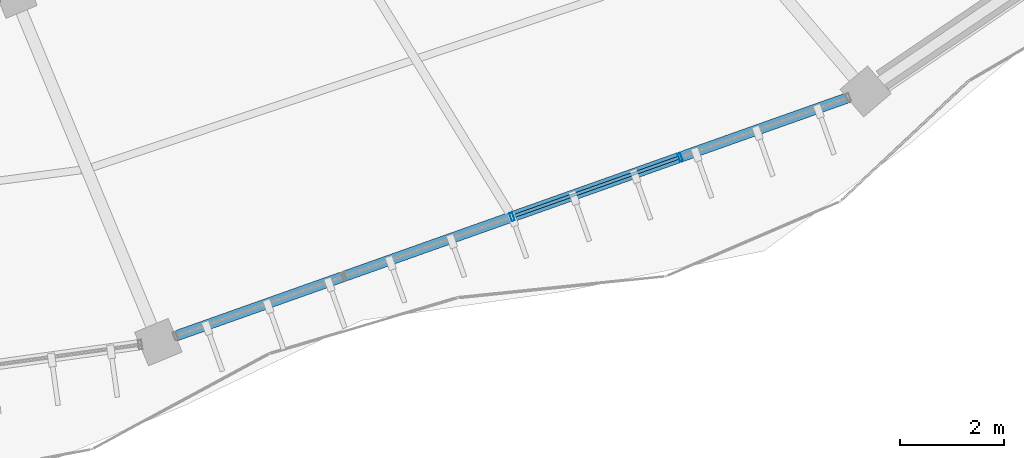
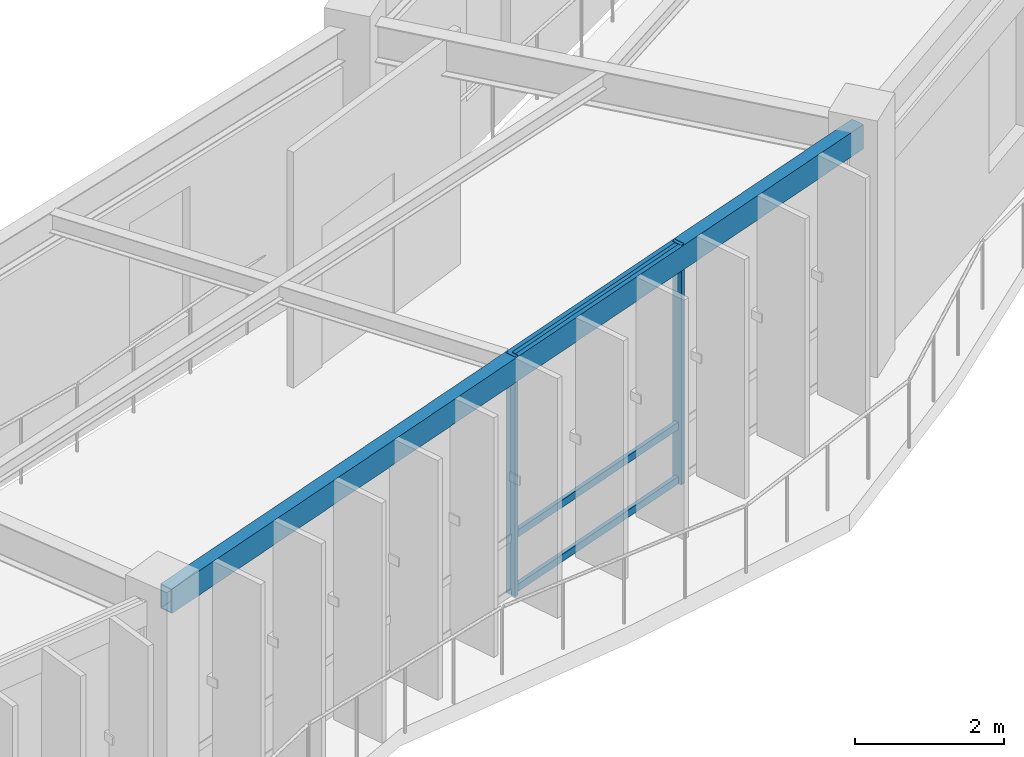
# One storey, part 56 of 138: 5 members, 1 beam, 1 element without a shape of its own.
"""IFC4 building model written with IfcOpenShell, lengths in metres."""

from ifc_helpers import new_model, si_unit, direction, frame, origin, origin_2d, place, context, subcontext, project, spatial, hollow_rectangle, extrude, material, material_profile, profile_set, type_object, element, aggregate, save


model = new_model("IFC4")

# Units and contexts
model_context = context("Model", 3, precision=1e-05, world=origin(), true_north=direction((0.0, 1.0)))
body_context = subcontext(model_context, "Body", "Model", "MODEL_VIEW")
ifc_project = project(units=[si_unit("LENGTHUNIT", "METRE"), si_unit("AREAUNIT", "SQUARE_METRE"), si_unit("VOLUMEUNIT", "CUBIC_METRE"), si_unit("PLANEANGLEUNIT", "RADIAN"), si_unit("MASSUNIT", "GRAM", prefix="KILO"), si_unit("THERMODYNAMICTEMPERATUREUNIT", "KELVIN"), si_unit("POWERUNIT", "WATT")], contexts=[model_context])

# Site, building, storey
site_placement = place(None, origin())
site = spatial("IfcSite", under=ifc_project, at=site_placement, CompositionType="ELEMENT")
building_placement = place(site_placement, origin())
building = spatial("IfcBuilding", under=site, at=building_placement, Name="Darbajah Civic Hall", CompositionType="ELEMENT")
storey_placement = place(building_placement, frame((0.0, 0.0, 9.60009765625)))
storey = spatial("IfcBuildingStorey", under=building, at=storey_placement, Name="L02", CompositionType="ELEMENT", Elevation=9.60009765625)

# Curtain wall, members
ifc_material_1 = material(Name="Anodised Bronze Aluminium and Low-E Glazing", Category="aluminium")
curtain_wall_type = type_object("IfcCurtainWallType", Name="Unitised Curtain Wall CW-33 13700x3900", PredefinedType="USERDEFINED", material=ifc_material_1)
curtain_wall_placement = place(storey_placement, origin())
curtain_wall = element("IfcCurtainWall", 1, at=curtain_wall_placement, inside=storey, type_object=curtain_wall_type, Name="L02 unitised curtain wall CW-V1O-L02-16", ObjectType="UNITISED CURTAIN WALL", PredefinedType="USERDEFINED")
ifc_material_2 = material(Name="Anodised Bronze Aluminium", Category="aluminium")
ifc_material_profile_1 = material_profile(ifc_material_2, hollow_rectangle(XDim=0.06005859375, YDim=0.159912109375, WallThickness=0.00341796875, at=origin_2d()), Name="ALU MULLION 60x160")
ifc_profile_set_1 = profile_set([ifc_material_profile_1], Name="Anodised Bronze Aluminium")
member_type_1 = type_object("IfcMemberType", Name="ALU MULLION 60x160", PredefinedType="MULLION", material=ifc_profile_set_1)
member_1_placement = place(storey_placement, frame((115.41943359375, 64.956787109375, 0.0), z_axis=(0.0, 0.0, 1.0), x_axis=(0.94252491309, 0.334135882844, 0.0)))
member_1 = element("IfcMember", 2, at=member_1_placement, type_object=member_type_1, Name="CW-V1O-L02-16 mullion 3", PredefinedType="MULLION", context=body_context, shape_type="SweptSolid", body=[
    extrude(hollow_rectangle(XDim=0.06005859375, YDim=0.159912109375, WallThickness=0.00341796875, at=origin_2d()), origin(), (0.0, 0.0, 1.0), 3.919921875),
])
member_2_placement = place(storey_placement, frame((118.65478515625, 66.103515625, 0.0), z_axis=(0.0, 0.0, 1.0), x_axis=(0.94252491309, 0.334135882844, 0.0)))
member_2 = element("IfcMember", 3, at=member_2_placement, type_object=member_type_1, Name="CW-V1O-L02-16 mullion 4", PredefinedType="MULLION", context=body_context, shape_type="SweptSolid", body=[
    extrude(hollow_rectangle(XDim=0.06005859375, YDim=0.159912109375, WallThickness=0.00341796875, at=origin_2d()), origin(), (0.0, 0.0, 1.0), 3.919921875),
])
ifc_material_profile_2 = material_profile(ifc_material_2, hollow_rectangle(XDim=0.06005859375, YDim=0.1201171875, WallThickness=0.003173828125, at=origin_2d()), Name="ALU TRANSOM 60x120")
ifc_profile_set_2 = profile_set([ifc_material_profile_2], Name="Anodised Bronze Aluminium")
member_type_2 = type_object("IfcMemberType", Name="ALU TRANSOM 60x120", PredefinedType="USERDEFINED", material=ifc_profile_set_2)
member_3_placement = place(storey_placement, frame((115.452392578125, 64.968505859375, 0.059814453125), z_axis=(0.942553897756, 0.334054112122, 0.0), x_axis=(-0.334054112122, 0.942553897756, 0.0)))
member_3 = element("IfcMember", 4, at=member_3_placement, type_object=member_type_2, Name="CW-V1O-L02-16 transom 3.1", ObjectType="TRANSOM", PredefinedType="USERDEFINED", context=body_context, shape_type="SweptSolid", body=[
    extrude(hollow_rectangle(XDim=0.06005859375, YDim=0.1201171875, WallThickness=0.003173828125, at=origin_2d()), origin(), (0.0, 0.0, 1.0), 3.362548828125),
])
member_4_placement = place(storey_placement, frame((115.452392578125, 64.968505859375, 0.949951171875), z_axis=(0.942553897756, 0.334054112122, 0.0), x_axis=(-0.334054112122, 0.942553897756, 0.0)))
member_4 = element("IfcMember", 5, at=member_4_placement, type_object=member_type_2, Name="CW-V1O-L02-16 transom 3.2", ObjectType="TRANSOM", PredefinedType="USERDEFINED", context=body_context, shape_type="SweptSolid", body=[
    extrude(hollow_rectangle(XDim=0.06005859375, YDim=0.1201171875, WallThickness=0.003173828125, at=origin_2d()), origin(), (0.0, 0.0, 1.0), 3.362548828125),
])
member_5_placement = place(storey_placement, frame((115.452392578125, 64.968505859375, 3.85986328125), z_axis=(0.942553897756, 0.334054112122, 0.0), x_axis=(-0.334054112122, 0.942553897756, 0.0)))
member_5 = element("IfcMember", 6, at=member_5_placement, type_object=member_type_2, Name="CW-V1O-L02-16 transom 3.3", ObjectType="TRANSOM", PredefinedType="USERDEFINED", context=body_context, shape_type="SweptSolid", body=[
    extrude(hollow_rectangle(XDim=0.06005859375, YDim=0.1201171875, WallThickness=0.003173828125, at=origin_2d()), origin(), (0.0, 0.0, 1.0), 3.362548828125),
])
aggregate(curtain_wall, [member_1, member_2, member_3, member_4, member_5])

# Beam
ifc_material_3 = material(Name="Steel S355JR", Category="steel")
ifc_material_profile_3 = material_profile(ifc_material_3, hollow_rectangle(XDim=0.199951171875, YDim=0.39990234375, WallThickness=0.013916015625, at=origin_2d()), Name="RHS 400x200x14")
ifc_profile_set_3 = profile_set([ifc_material_profile_3], Name="Steel S355JR")
beam_type = type_object("IfcBeamType", Name="RHS 400x200x14", PredefinedType="SPANDREL", material=ifc_profile_set_3)
beam_placement = place(storey_placement, frame((108.6923828125, 62.572265625, 3.719970703125), z_axis=(0.942537934189, 0.334099150875, 0.0), x_axis=(-0.334099150875, 0.942537934189, 0.0)))
element("IfcBeam", 7, at=beam_placement, inside=storey, type_object=beam_type, Name="L02 beam SP-RHS400", PredefinedType="SPANDREL", context=body_context, shape_type="SweptSolid", body=[
    extrude(hollow_rectangle(XDim=0.199951171875, YDim=0.39990234375, WallThickness=0.013916015625, at=origin_2d()), origin(), (0.0, 0.0, 1.0), 14.2744140625),
])

save(model, "model.ifc")
